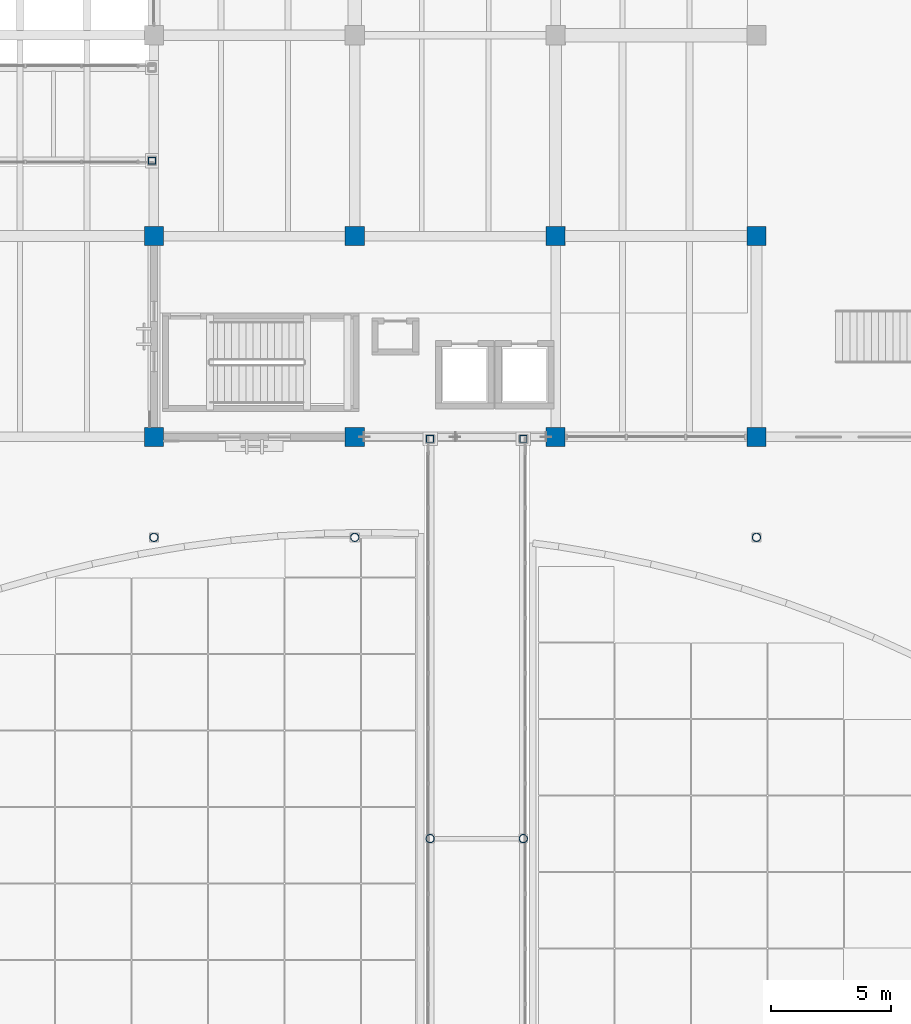
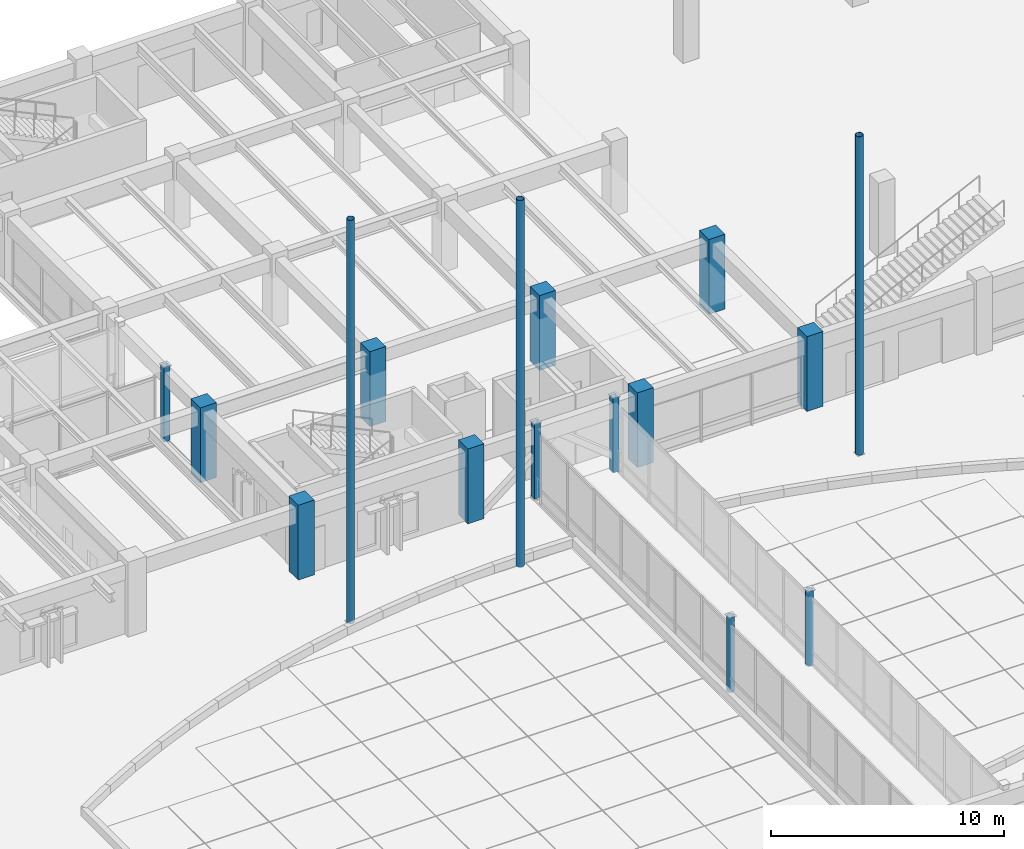
# One storey, part 14 of 135: 16 columns.
"""IFC4 building model written with IfcOpenShell, lengths in metres."""

from ifc_helpers import new_model, si_unit, direction, frame, origin, origin_2d, place, context, subcontext, project, spatial, rectangle, hollow_rectangle, hollow_circle, extrude, material, material_profile, profile_set, type_object, element, save


model = new_model("IFC4")

# Units and contexts
model_context = context("Model", 3, precision=1e-05, world=origin(), true_north=direction((0.0, 1.0)))
body_context = subcontext(model_context, "Body", "Model", "MODEL_VIEW")
ifc_project = project(units=[si_unit("LENGTHUNIT", "METRE"), si_unit("AREAUNIT", "SQUARE_METRE"), si_unit("VOLUMEUNIT", "CUBIC_METRE"), si_unit("PLANEANGLEUNIT", "RADIAN"), si_unit("MASSUNIT", "GRAM", prefix="KILO")], contexts=[model_context])

# Site, building, storey
site_placement = place(None, origin())
site = spatial("IfcSite", under=ifc_project, at=site_placement, CompositionType="ELEMENT")
building_placement = place(site_placement, origin())
building = spatial("IfcBuilding", under=site, at=building_placement, Name="Cumbredor Promenade Congress Hotel", CompositionType="ELEMENT")
storey_placement = place(building_placement, origin())
storey = spatial("IfcBuildingStorey", under=building, at=storey_placement, Name="L00", CompositionType="ELEMENT", Elevation=0.0)

# Columns
ifc_material_1 = material(Name="Concrete C50/60", Category="concrete")
ifc_material_profile_1 = material_profile(ifc_material_1, rectangle(XDim=0.800048828125, YDim=0.800048828125, at=origin_2d()), Name="RC 800x800")
ifc_profile_set_1 = profile_set([ifc_material_profile_1], Name="Concrete C50/60")
column_type_1 = type_object("IfcColumnType", Name="COL-RC-800", PredefinedType="COLUMN", material=ifc_profile_set_1)
for number, where, z_axis, x_axis, name in (
    (1, (92.39990234375, 84.0, 0.0), (0.0, 0.0, 1.0), (1.0, 0.0, 0.0), "L00 Structural Column 115"),
    (2, (92.39990234375, 92.39990234375, 0.0), (0.0, 0.0, 1.0), (1.0, 0.0, 0.0), "L00 Structural Column 116"),
    (3, (100.800048828125, 84.0, 0.0), (0.0, 0.0, 1.0), (1.0, 0.0, 0.0), "L00 Structural Column 124"),
    (4, (100.800048828125, 92.39990234375, 0.0), (0.0, 0.0, 1.0), (1.0, 0.0, 0.0), "L00 Structural Column 125"),
    (5, (109.199951171875, 84.0, 0.0), (0.0, 0.0, 1.0), (1.0, 0.0, 0.0), "L00 Structural Column 135"),
    (6, (109.199951171875, 92.39990234375, 0.0), (0.0, 0.0, 1.0), (1.0, 0.0, 0.0), "L00 Structural Column 136"),
    (7, (117.60009765625, 84.0, 0.0), (0.0, 0.0, 1.0), (1.0, 0.0, 0.0), "L00 Structural Column 140"),
    (8, (117.60009765625, 92.39990234375, 0.0), (0.0, 0.0, 1.0), (1.0, 0.0, 0.0), "L00 Structural Column 141"),
):
    element("IfcColumn", number, at=place(storey_placement, frame(where, z_axis=z_axis, x_axis=x_axis)), inside=storey, type_object=column_type_1, Name=name, PredefinedType="COLUMN", context=body_context, shape_type="SweptSolid", body=[
        extrude(rectangle(XDim=0.800048828125, YDim=0.800048828125, at=origin_2d()), origin(), (0.0, 0.0, 1.0), 3.919921875),
    ])
ifc_material_2 = material(Name="Steel ASTM A500 Grade C", Category="steel")
ifc_material_profile_2 = material_profile(ifc_material_2, hollow_circle(Radius=0.177734375, WallThickness=0.01611328125, at=origin_2d()), Name="CHS 355.6x16")
ifc_profile_set_2 = profile_set([ifc_material_profile_2], Name="Steel ASTM A500 Grade C")
column_type_2 = type_object("IfcColumnType", Name="COL-STL-CHS355", PredefinedType="COLUMN", material=ifc_profile_set_2)
column_1_placement = place(storey_placement, frame((92.39990234375, 79.800048828125, 0.0), z_axis=(0.0, 0.0, 1.0), x_axis=(1.0, 0.0, 0.0)))
element("IfcColumn", 9, at=column_1_placement, inside=storey, type_object=column_type_2, Name="Pre-Function and Breakout Meeting Forum Slim Overhang Pavilion Column 01", PredefinedType="COLUMN", context=body_context, shape_type="SweptSolid", body=[
    extrude(hollow_circle(Radius=0.177734375, WallThickness=0.01611328125, at=origin_2d()), origin(), (0.0, 0.0, 1.0), 21.11669921875),
])
column_2_placement = place(storey_placement, frame((100.800048828125, 79.800048828125, 0.0), z_axis=(0.0, 0.0, 1.0), x_axis=(1.0, 0.0, 0.0)))
element("IfcColumn", 10, at=column_2_placement, inside=storey, type_object=column_type_2, Name="Pre-Function and Breakout Meeting Forum Slim Overhang Pavilion Column 02", PredefinedType="COLUMN", context=body_context, shape_type="SweptSolid", body=[
    extrude(hollow_circle(Radius=0.177734375, WallThickness=0.01611328125, at=origin_2d()), origin(), (0.0, 0.0, 1.0), 19.21630859375),
])
column_3_placement = place(storey_placement, frame((117.60009765625, 79.800048828125, 0.0), z_axis=(0.0, 0.0, 1.0), x_axis=(1.0, 0.0, 0.0)))
element("IfcColumn", 11, at=column_3_placement, inside=storey, type_object=column_type_2, Name="Pre-Function and Breakout Meeting Forum Slim Overhang Pavilion Column 03", PredefinedType="COLUMN", context=body_context, shape_type="SweptSolid", body=[
    extrude(hollow_circle(Radius=0.177734375, WallThickness=0.01611328125, at=origin_2d()), origin(), (0.0, 0.0, 1.0), 16.679931640625),
])
for number, where, z_axis, x_axis, name in (
    (12, (103.949951171875, 67.199951171875, 0.0), (0.0, 0.0, 1.0), (1.0, 0.0, 0.0), "L00 Reflecting-Pool Bridge Mid Pier 1"),
    (13, (107.85009765625, 67.199951171875, 0.0), (0.0, 0.0, 1.0), (1.0, 0.0, 0.0), "L00 Reflecting-Pool Bridge Mid Pier 2"),
):
    element("IfcColumn", number, at=place(storey_placement, frame(where, z_axis=z_axis, x_axis=x_axis)), inside=storey, type_object=column_type_2, Name=name, PredefinedType="COLUMN", context=body_context, shape_type="SweptSolid", body=[
        extrude(hollow_circle(Radius=0.177734375, WallThickness=0.01611328125, at=origin_2d()), origin(), (0.0, 0.0, 1.0), 3.919921875),
    ])
ifc_material_profile_3 = material_profile(ifc_material_2, hollow_rectangle(XDim=0.300048828125, YDim=0.300048828125, WallThickness=0.01611328125, at=origin_2d()), Name="HSS 300x300x16")
ifc_profile_set_3 = profile_set([ifc_material_profile_3], Name="Steel ASTM A500 Grade C")
column_type_3 = type_object("IfcColumnType", Name="COL-STL-HSS300", PredefinedType="COLUMN", material=ifc_profile_set_3)
for number, where, z_axis, x_axis, name in (
    (14, (103.949951171875, 83.919921875, 0.0), (0.0, 0.0, 1.0), (1.0, 0.0, 0.0), "L00 Central Reflecting-Pool Promenade Bridge Support Column 3"),
    (15, (107.85009765625, 83.919921875, 0.0), (0.0, 0.0, 1.0), (1.0, 0.0, 0.0), "L00 Central Reflecting-Pool Promenade Bridge Support Column 4"),
    (16, (92.320068359375, 95.550048828125, 0.0), (0.0, 0.0, 1.0), (1.0, 0.0, 0.0), "L00 North Hotel-to-Forum Glazed Bridge Support Column 3"),
):
    element("IfcColumn", number, at=place(storey_placement, frame(where, z_axis=z_axis, x_axis=x_axis)), inside=storey, type_object=column_type_3, Name=name, PredefinedType="COLUMN", context=body_context, shape_type="SweptSolid", body=[
        extrude(hollow_rectangle(XDim=0.300048828125, YDim=0.300048828125, WallThickness=0.01611328125, at=origin_2d()), origin(), (0.0, 0.0, 1.0), 3.919921875),
    ])

save(model, "model.ifc")
